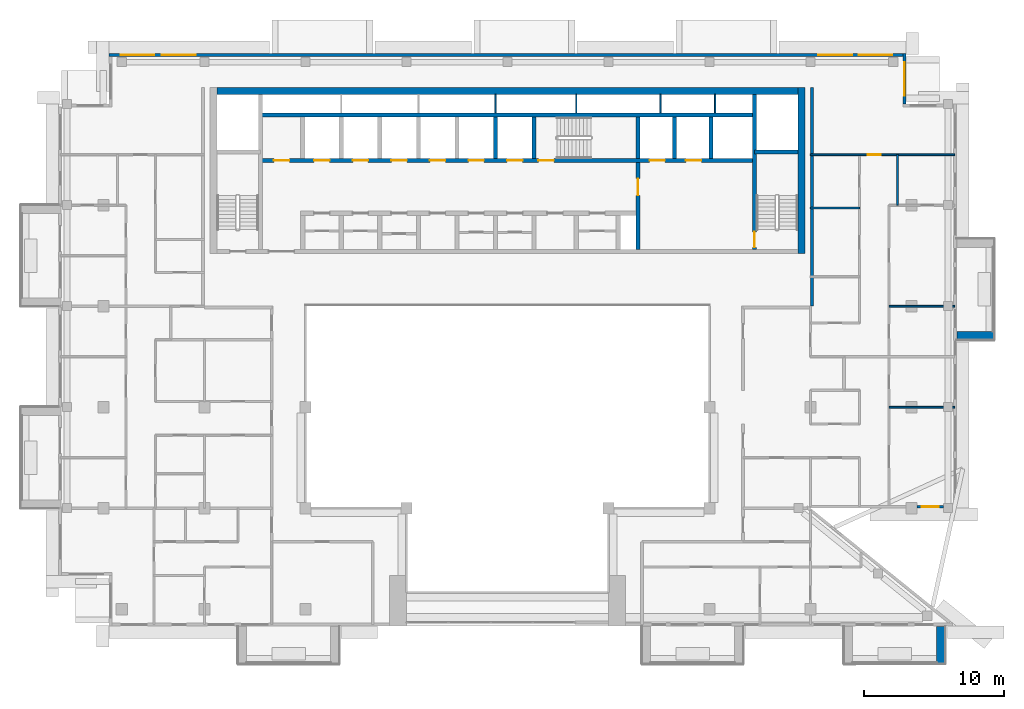
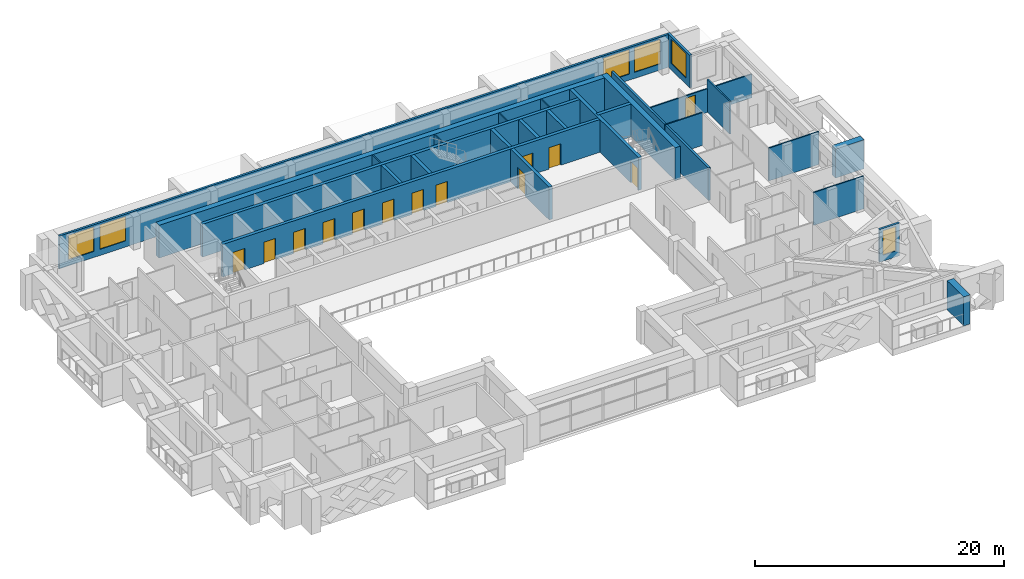
# One storey, part 11 of 19: 27 walls, 13 doors, 6 windows, 19 openings.
"""IFC4 building model written with IfcOpenShell, lengths in metres."""

from ifc_helpers import new_model, si_unit, direction, frame, frame_2d, origin, place, context, subcontext, project, spatial, rectangle, extrude, material, layer, layer_set, type_object, element, fill, save


model = new_model("IFC4")

# Units and contexts
model_context = context("Model", 3, precision=1e-05, world=origin(), true_north=direction((0.0, 1.0)))
body_context = subcontext(model_context, "Body", "Model", "MODEL_VIEW")
ifc_project = project(units=[si_unit("LENGTHUNIT", "METRE"), si_unit("AREAUNIT", "SQUARE_METRE"), si_unit("VOLUMEUNIT", "CUBIC_METRE"), si_unit("PLANEANGLEUNIT", "RADIAN"), si_unit("MASSUNIT", "GRAM", prefix="KILO")], contexts=[model_context])

# Site, building, storey
site_placement = place(None, origin())
site = spatial("IfcSite", under=ifc_project, at=site_placement, CompositionType="ELEMENT")
building_placement = place(site_placement, origin())
building = spatial("IfcBuilding", under=site, at=building_placement, Name="Saffron Iwan Residences", CompositionType="ELEMENT")
storey_placement = place(building_placement, frame((0.0, 0.0, 246.5)))
storey = spatial("IfcBuildingStorey", under=building, at=storey_placement, Name="L66", CompositionType="ELEMENT", Elevation=246.5)

# Walls
ifc_material_1 = material(Name="Concrete C50/60 white painted", Category="concrete")
ifc_layer_1 = layer(ifc_material_1, 0.60009765625)
ifc_layer_set_1 = layer_set([ifc_layer_1], Name="Concrete C50/60 white painted")
wall_type_1 = type_object("IfcWallType", Name="BALCONY FIN 600", PredefinedType="SOLIDWALL", material=ifc_layer_set_1)
for number, where, z_axis, x_axis, name in (
    (1, (82.449951171875, 60.300048828125, 0.0), (0.0, 0.0, 1.0), (1.0, 0.0, 0.0), "Balcony fin L66 F2-0a"),
    (2, (81.300048828125, 39.550048828125, 0.0), (0.0, 0.0, 1.0), (0.0, -1.0, 0.0), "Balcony fin L66 11-2b"),
):
    element("IfcWall", number, at=place(storey_placement, frame(where, z_axis=z_axis, x_axis=x_axis)), inside=storey, type_object=wall_type_1, Name=name, PredefinedType="SOLIDWALL", context=body_context, shape_type="SweptSolid", body=[
        extrude(rectangle(XDim=2.650146484375, YDim=0.60009765625, at=frame_2d((1.3251953125, 0.0))), origin(), (0.0, 0.0, 1.0), 2.85009765625),
    ])

# Wall, opening, window
ifc_material_2 = material(Name="Concrete C40/50", Category="concrete")
ifc_layer_2 = layer(ifc_material_2, 0.199951171875)
ifc_layer_set_2 = layer_set([ifc_layer_2], Name="Concrete C40/50")
wall_type_2 = type_object("IfcWallType", Name="EXTERNAL WALL 200", PredefinedType="SOLIDWALL", material=ifc_layer_set_2)
wall_1_placement = place(storey_placement, frame((79.60009765625, 48.10009765625, 0.0), z_axis=(0.0, 0.0, 1.0), x_axis=(1.0, 0.0, 0.0)))
wall_1 = element("IfcWall", 3, at=wall_1_placement, inside=storey, type_object=wall_type_2, Name="External wall L66 F1.1", PredefinedType="SOLIDWALL", context=body_context, shape_type="SweptSolid", body=[
    extrude(rectangle(XDim=1.875, YDim=0.199951171875, at=frame_2d((0.9375, 0.0))), origin(), (0.0, 0.0, 1.0), 3.219970703125),
])
opening_1_placement = place(wall_1_placement, frame((0.33740234375, 0.0, 0.60009765625)))
opening_1 = element("IfcOpeningElement", 4, at=opening_1_placement, cuts=wall_1, Name="Opening W3", PredefinedType="OPENING", context=body_context, shape_type="SweptSolid", body=[
    extrude(rectangle(XDim=1.199951171875, YDim=2.39990234375, at=frame_2d((0.60009765625, 1.199951171875))), frame((0.0, 0.10986328125, 0.0), z_axis=(0.0, -1.0, 0.0), x_axis=(1.0, 0.0, 0.0)), (0.0, 0.0, 1.0), 0.219970703125),
])
ifc_material_3 = material(Name="Clear glass, laminated double glazed", Category="glass")
window_type_1 = type_object("IfcWindowType", Name="WINDOW 1200 x 2400", PartitioningType="SINGLE_PANEL", PredefinedType="WINDOW", material=ifc_material_3)
window_1_placement = place(opening_1_placement, origin())
window_1 = element("IfcWindow", 5, at=window_1_placement, inside=storey, type_object=window_type_1, Name="Window L66 F1.0", OverallHeight=2.39990234375, OverallWidth=1.199951171875, PartitioningType="SINGLE_PANEL", PredefinedType="WINDOW", context=body_context, shape_type="SweptSolid", body=[
    extrude(rectangle(XDim=1.199951171875, YDim=2.39990234375, at=frame_2d((0.60009765625, 1.199951171875))), frame((0.0, 0.030029296875, 0.0), z_axis=(0.0, -1.0, 0.0), x_axis=(1.0, 0.0, 0.0)), (0.0, 0.0, 1.0), 0.06005859375),
])
fill(opening_1, window_1)

wall_2_placement = place(storey_placement, frame((78.699951171875, 76.800048828125, 0.0), z_axis=(0.0, 0.0, 1.0), x_axis=(0.0, 1.0, 0.0)))
wall_2 = element("IfcWall", 6, at=wall_2_placement, inside=storey, type_object=wall_type_2, Name="External wall L66 F4.0", PredefinedType="SOLIDWALL", context=body_context, shape_type="SweptSolid", body=[
    extrude(rectangle(XDim=3.599853515625, YDim=0.199951171875, at=frame_2d((1.7998046875, 0.0))), origin(), (0.0, 0.0, 1.0), 3.219970703125),
])
opening_2_placement = place(wall_2_placement, frame((0.60009765625, 0.0, 0.60009765625)))
opening_2 = element("IfcOpeningElement", 7, at=opening_2_placement, cuts=wall_2, Name="Opening W1", PredefinedType="OPENING", context=body_context, shape_type="SweptSolid", body=[
    extrude(rectangle(XDim=2.39990234375, YDim=2.39990234375, at=frame_2d((1.199951171875, 1.199951171875))), frame((0.0, 0.10986328125, 0.0), z_axis=(0.0, -1.0, 0.0), x_axis=(1.0, 0.0, 0.0)), (0.0, 0.0, 1.0), 0.219970703125),
])
window_type_2 = type_object("IfcWindowType", Name="WINDOW 2400 x 2400", PartitioningType="DOUBLE_PANEL_VERTICAL", PredefinedType="WINDOW", material=ifc_material_3)
window_2_placement = place(opening_2_placement, origin())
window_2 = element("IfcWindow", 8, at=window_2_placement, inside=storey, type_object=window_type_2, Name="Window L66 F4.0", OverallHeight=2.39990234375, OverallWidth=2.39990234375, PartitioningType="DOUBLE_PANEL_VERTICAL", PredefinedType="WINDOW", context=body_context, shape_type="SweptSolid", body=[
    extrude(rectangle(XDim=2.39990234375, YDim=2.39990234375, at=frame_2d((1.199951171875, 1.199951171875))), frame((0.0, 0.030029296875, 0.0), z_axis=(0.0, -1.0, 0.0), x_axis=(1.0, 0.0, 0.0)), (0.0, 0.0, 1.0), 0.06005859375),
])
fill(opening_2, window_2)

# Wall, openings, windows
wall_3_placement = place(storey_placement, frame((78.60009765625, 80.300048828125, 0.0), z_axis=(0.0, 0.0, 1.0), x_axis=(-1.0, 0.0, 0.0)))
wall_3 = element("IfcWall", 9, at=wall_3_placement, inside=storey, type_object=wall_type_2, Name="External wall L66 F5.0", PredefinedType="SOLIDWALL", context=body_context, shape_type="SweptSolid", body=[
    extrude(rectangle(XDim=56.60009765625, YDim=0.199951171875, at=frame_2d((28.300048828125, 0.0))), origin(), (0.0, 0.0, 1.0), 3.219970703125),
])
opening_3_placement = place(wall_3_placement, frame((50.433349609375, 0.0, 0.60009765625)))
opening_3 = element("IfcOpeningElement", 10, at=opening_3_placement, cuts=wall_3, Name="Opening W1", PredefinedType="OPENING", context=body_context, shape_type="SweptSolid", body=[
    extrude(rectangle(XDim=2.39990234375, YDim=2.39990234375, at=frame_2d((1.199951171875, 1.199951171875))), frame((0.0, 0.10986328125, 0.0), z_axis=(0.0, -1.0, 0.0), x_axis=(1.0, 0.0, 0.0)), (0.0, 0.0, 1.0), 0.219970703125),
])
opening_4_placement = place(wall_3_placement, frame((53.36669921875, 0.0, 0.60009765625)))
opening_4 = element("IfcOpeningElement", 11, at=opening_4_placement, cuts=wall_3, Name="Opening W1", PredefinedType="OPENING", context=body_context, shape_type="SweptSolid", body=[
    extrude(rectangle(XDim=2.39990234375, YDim=2.39990234375, at=frame_2d((1.199951171875, 1.199951171875))), frame((0.0, 0.10986328125, 0.0), z_axis=(0.0, -1.0, 0.0), x_axis=(1.0, 0.0, 0.0)), (0.0, 0.0, 1.0), 0.219970703125),
])
opening_5_placement = place(wall_3_placement, frame((0.7666015625, 0.0, 0.60009765625)))
opening_5 = element("IfcOpeningElement", 12, at=opening_5_placement, cuts=wall_3, Name="Opening W1", PredefinedType="OPENING", context=body_context, shape_type="SweptSolid", body=[
    extrude(rectangle(XDim=2.39990234375, YDim=2.39990234375, at=frame_2d((1.199951171875, 1.199951171875))), frame((0.0, 0.10986328125, 0.0), z_axis=(0.0, -1.0, 0.0), x_axis=(1.0, 0.0, 0.0)), (0.0, 0.0, 1.0), 0.219970703125),
])
opening_6_placement = place(wall_3_placement, frame((3.63330078125, 0.0, 0.60009765625)))
opening_6 = element("IfcOpeningElement", 13, at=opening_6_placement, cuts=wall_3, Name="Opening W1", PredefinedType="OPENING", context=body_context, shape_type="SweptSolid", body=[
    extrude(rectangle(XDim=2.39990234375, YDim=2.39990234375, at=frame_2d((1.199951171875, 1.199951171875))), frame((0.0, 0.10986328125, 0.0), z_axis=(0.0, -1.0, 0.0), x_axis=(1.0, 0.0, 0.0)), (0.0, 0.0, 1.0), 0.219970703125),
])
window_3_placement = place(opening_3_placement, origin())
window_3 = element("IfcWindow", 14, at=window_3_placement, inside=storey, type_object=window_type_2, Name="Window L66 F5.0", OverallHeight=2.39990234375, OverallWidth=2.39990234375, PartitioningType="DOUBLE_PANEL_VERTICAL", PredefinedType="WINDOW", context=body_context, shape_type="SweptSolid", body=[
    extrude(rectangle(XDim=2.39990234375, YDim=2.39990234375, at=frame_2d((1.199951171875, 1.199951171875))), frame((0.0, 0.030029296875, 0.0), z_axis=(0.0, -1.0, 0.0), x_axis=(1.0, 0.0, 0.0)), (0.0, 0.0, 1.0), 0.06005859375),
])
fill(opening_3, window_3)
window_4_placement = place(opening_4_placement, origin())
window_4 = element("IfcWindow", 15, at=window_4_placement, inside=storey, type_object=window_type_2, Name="Window L66 F5.1", OverallHeight=2.39990234375, OverallWidth=2.39990234375, PartitioningType="DOUBLE_PANEL_VERTICAL", PredefinedType="WINDOW", context=body_context, shape_type="SweptSolid", body=[
    extrude(rectangle(XDim=2.39990234375, YDim=2.39990234375, at=frame_2d((1.199951171875, 1.199951171875))), frame((0.0, 0.030029296875, 0.0), z_axis=(0.0, -1.0, 0.0), x_axis=(1.0, 0.0, 0.0)), (0.0, 0.0, 1.0), 0.06005859375),
])
fill(opening_4, window_4)
window_5_placement = place(opening_5_placement, origin())
window_5 = element("IfcWindow", 16, at=window_5_placement, inside=storey, type_object=window_type_2, Name="Window L66 F5.2", OverallHeight=2.39990234375, OverallWidth=2.39990234375, PartitioningType="DOUBLE_PANEL_VERTICAL", PredefinedType="WINDOW", context=body_context, shape_type="SweptSolid", body=[
    extrude(rectangle(XDim=2.39990234375, YDim=2.39990234375, at=frame_2d((1.199951171875, 1.199951171875))), frame((0.0, 0.030029296875, 0.0), z_axis=(0.0, -1.0, 0.0), x_axis=(1.0, 0.0, 0.0)), (0.0, 0.0, 1.0), 0.06005859375),
])
fill(opening_5, window_5)
window_6_placement = place(opening_6_placement, origin())
window_6 = element("IfcWindow", 17, at=window_6_placement, inside=storey, type_object=window_type_2, Name="Window L66 F5.3", OverallHeight=2.39990234375, OverallWidth=2.39990234375, PartitioningType="DOUBLE_PANEL_VERTICAL", PredefinedType="WINDOW", context=body_context, shape_type="SweptSolid", body=[
    extrude(rectangle(XDim=2.39990234375, YDim=2.39990234375, at=frame_2d((1.199951171875, 1.199951171875))), frame((0.0, 0.030029296875, 0.0), z_axis=(0.0, -1.0, 0.0), x_axis=(1.0, 0.0, 0.0)), (0.0, 0.0, 1.0), 0.06005859375),
])
fill(opening_6, window_6)

# Walls
ifc_material_4 = material(Name="Gypsum board partition")
ifc_layer_3 = layer(ifc_material_4, 0.1201171875)
ifc_layer_set_3 = layer_set([ifc_layer_3], Name="Gypsum board partition")
wall_type_3 = type_object("IfcWallType", Name="Flat partition 120", PredefinedType="PARTITIONING", material=ifc_layer_set_3)
for number, where, z_axis, x_axis, name in (
    (18, (77.60009765625, 55.199951171875, 0.0), (0.0, 0.0, 1.0), (1.0, 0.0, 0.0), "W-L66-PART-h55.2-77.6"),
    (19, (77.60009765625, 62.39990234375, 0.0), (0.0, 0.0, 1.0), (1.0, 0.0, 0.0), "W-L66-PART-h62.4-77.6"),
):
    element("IfcWall", number, at=place(storey_placement, frame(where, z_axis=z_axis, x_axis=x_axis)), inside=storey, type_object=wall_type_3, Name=name, PredefinedType="PARTITIONING", context=body_context, shape_type="SweptSolid", body=[
        extrude(rectangle(XDim=4.6748046875, YDim=0.1201171875, at=frame_2d((2.33740234375, 0.0))), origin(), (0.0, 0.0, 1.0), 3.219970703125),
    ])
wall_4_placement = place(storey_placement, frame((72.0, 69.39990234375, 0.0), z_axis=(0.0, 0.0, 1.0), x_axis=(1.0, 0.0, 0.0)))
element("IfcWall", 20, at=wall_4_placement, inside=storey, type_object=wall_type_3, Name="W-L66-PART-h69.4-72", PredefinedType="PARTITIONING", context=body_context, shape_type="SweptSolid", body=[
    extrude(rectangle(XDim=3.5, YDim=0.1201171875, at=frame_2d((1.75, 0.0))), origin(), (0.0, 0.0, 1.0), 3.219970703125),
])

# Wall, opening, door
wall_5_placement = place(storey_placement, frame((72.0, 73.199951171875, 0.0), z_axis=(0.0, 0.0, 1.0), x_axis=(1.0, 0.0, 0.0)))
wall_5 = element("IfcWall", 21, at=wall_5_placement, inside=storey, type_object=wall_type_3, Name="W-L66-PART-h73.2-72", PredefinedType="PARTITIONING", context=body_context, shape_type="SweptSolid", body=[
    extrude(rectangle(XDim=10.27490234375, YDim=0.1201171875, at=frame_2d((5.137451171875, 0.0))), origin(), (0.0, 0.0, 1.0), 2.320068359375),
])
opening_7_placement = place(wall_5_placement, frame((4.10009765625, 0.0, 0.0)))
opening_7 = element("IfcOpeningElement", 22, at=opening_7_placement, cuts=wall_5, Name="Opening FD2", PredefinedType="OPENING", context=body_context, shape_type="SweptSolid", body=[
    extrude(rectangle(XDim=0.89990234375, YDim=2.10009765625, at=frame_2d((0.449951171875, 1.050048828125))), frame((0.0, 0.070068359375, 0.0), z_axis=(0.0, -1.0, 0.0), x_axis=(1.0, 0.0, 0.0)), (0.0, 0.0, 1.0), 0.14013671875),
])
ifc_material_5 = material(Name="Timber door", Category="wood")
door_type_1 = type_object("IfcDoorType", Name="Flat door 900", OperationType="NOTDEFINED", PredefinedType="DOOR", material=ifc_material_5)
door_1_placement = place(opening_7_placement, origin())
door_1 = element("IfcDoor", 23, at=door_1_placement, inside=storey, type_object=door_type_1, Name="Door L66-036", OperationType="SINGLE_SWING_LEFT", OverallHeight=2.10009765625, OverallWidth=0.89990234375, PredefinedType="DOOR", context=body_context, shape_type="SweptSolid", body=[
    extrude(rectangle(XDim=0.89990234375, YDim=2.10009765625, at=frame_2d((0.449951171875, 1.050048828125))), frame((0.0, 0.02490234375, 0.0), z_axis=(0.0, -1.0, 0.0), x_axis=(1.0, 0.0, 0.0)), (0.0, 0.0, 1.0), 0.050048828125),
])
fill(opening_7, door_1)

# Walls
wall_6_placement = place(storey_placement, frame((78.199951171875, 69.60009765625, 0.0), z_axis=(0.0, 0.0, 1.0), x_axis=(0.0, 1.0, 0.0)))
element("IfcWall", 24, at=wall_6_placement, inside=storey, type_object=wall_type_3, Name="W-L66-PART-v78.2-69.6", PredefinedType="PARTITIONING", context=body_context, shape_type="SweptSolid", body=[
    extrude(rectangle(XDim=3.599853515625, YDim=0.1201171875, at=frame_2d((1.7998046875, 0.0))), origin(), (0.0, 0.0, 1.0), 3.219970703125),
])
ifc_material_6 = material(Name="Fire-rated gypsum board wall")
ifc_layer_4 = layer(ifc_material_6, 0.199951171875)
ifc_layer_set_4 = layer_set([ifc_layer_4], Name="Fire-rated gypsum board wall")
wall_type_4 = type_object("IfcWallType", Name="Gallery wall 200", PredefinedType="SOLIDWALL", material=ifc_layer_set_4)
wall_7_placement = place(storey_placement, frame((72.10009765625, 62.39990234375, 0.0), z_axis=(0.0, 0.0, 1.0), x_axis=(0.0, 1.0, 0.0)))
element("IfcWall", 25, at=wall_7_placement, inside=storey, type_object=wall_type_4, Name="W-L66-CORR-v72-62.4", PredefinedType="SOLIDWALL", context=body_context, shape_type="SweptSolid", body=[
    extrude(rectangle(XDim=15.60009765625, YDim=0.199951171875, at=frame_2d((7.800048828125, 0.0))), origin(), (0.0, 0.0, 1.0), 3.219970703125),
])
ifc_material_7 = material(Name="Fire-rated plasterboard partition")
ifc_layer_5 = layer(ifc_material_7, 0.10009765625)
ifc_layer_set_5 = layer_set([ifc_layer_5], Name="Fire-rated plasterboard partition")
wall_type_5 = type_object("IfcWallType", Name="Riser partition 100", PredefinedType="PARTITIONING", material=ifc_layer_set_5)
for number, where, z_axis, x_axis, name in (
    (26, (49.550048828125, 76.175048828125, 0.0), (0.0, 0.0, 1.0), (0.0, 1.0, 0.0), "Core partition P09"),
    (27, (55.300048828125, 76.175048828125, 0.0), (0.0, 0.0, 1.0), (0.0, 1.0, 0.0), "Core partition P10"),
    (28, (61.300048828125, 76.175048828125, 0.0), (0.0, 0.0, 1.0), (0.0, 1.0, 0.0), "Core partition P11"),
    (29, (65.199951171875, 76.175048828125, 0.0), (0.0, 0.0, 1.0), (0.0, 1.0, 0.0), "Core partition P12"),
):
    element("IfcWall", number, at=place(storey_placement, frame(where, z_axis=z_axis, x_axis=x_axis)), inside=storey, type_object=wall_type_5, Name=name, PredefinedType="PARTITIONING", context=body_context, shape_type="SweptSolid", body=[
        extrude(rectangle(XDim=1.324951171875, YDim=0.10009765625, at=frame_2d((0.66259765625, 0.0))), origin(), (0.0, 0.0, 1.0), 3.219970703125),
    ])

# Wall, openings, doors
ifc_layer_6 = layer(ifc_material_2, 0.300048828125)
ifc_layer_set_6 = layer_set([ifc_layer_6], Name="Concrete C40/50")
wall_type_6 = type_object("IfcWallType", Name="WALL CORE 300 C40/50 3220 HIGH", PredefinedType="SHEAR", material=ifc_layer_set_6)
wall_8_placement = place(storey_placement, frame((32.800048828125, 72.77490234375, 0.0), z_axis=(0.0, 0.0, 1.0), x_axis=(1.0, 0.0, 0.0)))
wall_8 = element("IfcWall", 30, at=wall_8_placement, inside=storey, type_object=wall_type_6, Name="Core wall", PredefinedType="SHEAR", context=body_context, shape_type="SweptSolid", body=[
    extrude(rectangle(XDim=35.199951171875, YDim=0.300048828125, at=frame_2d((17.60009765625, 0.0))), origin(), (0.0, 0.0, 1.0), 3.219970703125),
])
opening_8_placement = place(wall_8_placement, frame((19.800048828125, 0.0, 0.0)))
opening_8 = element("IfcOpeningElement", 31, at=opening_8_placement, cuts=wall_8, Name="Opening SD", PredefinedType="OPENING", context=body_context, shape_type="SweptSolid", body=[
    extrude(rectangle(XDim=1.10009765625, YDim=2.10009765625, at=frame_2d((0.550048828125, 1.050048828125))), frame((0.0, 0.16015625, 0.0), z_axis=(0.0, -1.0, 0.0), x_axis=(1.0, 0.0, 0.0)), (0.0, 0.0, 1.0), 0.320068359375),
])
opening_9_placement = place(wall_8_placement, frame((27.72509765625, 0.0, 0.0)))
opening_9 = element("IfcOpeningElement", 32, at=opening_9_placement, cuts=wall_8, Name="Opening LD", PredefinedType="OPENING", context=body_context, shape_type="SweptSolid", body=[
    extrude(rectangle(XDim=1.10009765625, YDim=2.10009765625, at=frame_2d((0.550048828125, 1.050048828125))), frame((0.0, 0.16015625, 0.0), z_axis=(0.0, -1.0, 0.0), x_axis=(1.0, 0.0, 0.0)), (0.0, 0.0, 1.0), 0.320068359375),
])
opening_10_placement = place(wall_8_placement, frame((30.324951171875, 0.0, 0.0)))
opening_10 = element("IfcOpeningElement", 33, at=opening_10_placement, cuts=wall_8, Name="Opening LD", PredefinedType="OPENING", context=body_context, shape_type="SweptSolid", body=[
    extrude(rectangle(XDim=1.10009765625, YDim=2.10009765625, at=frame_2d((0.550048828125, 1.050048828125))), frame((0.0, 0.16015625, 0.0), z_axis=(0.0, -1.0, 0.0), x_axis=(1.0, 0.0, 0.0)), (0.0, 0.0, 1.0), 0.320068359375),
])
opening_11_placement = place(wall_8_placement, frame((3.824951171875, 0.0, 0.0)))
opening_11 = element("IfcOpeningElement", 34, at=opening_11_placement, cuts=wall_8, Name="Opening LD", PredefinedType="OPENING", context=body_context, shape_type="SweptSolid", body=[
    extrude(rectangle(XDim=1.10009765625, YDim=2.10009765625, at=frame_2d((0.550048828125, 1.050048828125))), frame((0.0, 0.16015625, 0.0), z_axis=(0.0, -1.0, 0.0), x_axis=(1.0, 0.0, 0.0)), (0.0, 0.0, 1.0), 0.320068359375),
])
opening_12_placement = place(wall_8_placement, frame((6.574951171875, 0.0, 0.0)))
opening_12 = element("IfcOpeningElement", 35, at=opening_12_placement, cuts=wall_8, Name="Opening LD", PredefinedType="OPENING", context=body_context, shape_type="SweptSolid", body=[
    extrude(rectangle(XDim=1.10009765625, YDim=2.10009765625, at=frame_2d((0.550048828125, 1.050048828125))), frame((0.0, 0.16015625, 0.0), z_axis=(0.0, -1.0, 0.0), x_axis=(1.0, 0.0, 0.0)), (0.0, 0.0, 1.0), 0.320068359375),
])
opening_13_placement = place(wall_8_placement, frame((9.324951171875, 0.0, 0.0)))
opening_13 = element("IfcOpeningElement", 36, at=opening_13_placement, cuts=wall_8, Name="Opening LD", PredefinedType="OPENING", context=body_context, shape_type="SweptSolid", body=[
    extrude(rectangle(XDim=1.10009765625, YDim=2.10009765625, at=frame_2d((0.550048828125, 1.050048828125))), frame((0.0, 0.16015625, 0.0), z_axis=(0.0, -1.0, 0.0), x_axis=(1.0, 0.0, 0.0)), (0.0, 0.0, 1.0), 0.320068359375),
])
opening_14_placement = place(wall_8_placement, frame((12.074951171875, 0.0, 0.0)))
opening_14 = element("IfcOpeningElement", 37, at=opening_14_placement, cuts=wall_8, Name="Opening LD", PredefinedType="OPENING", context=body_context, shape_type="SweptSolid", body=[
    extrude(rectangle(XDim=1.10009765625, YDim=2.10009765625, at=frame_2d((0.550048828125, 1.050048828125))), frame((0.0, 0.16015625, 0.0), z_axis=(0.0, -1.0, 0.0), x_axis=(1.0, 0.0, 0.0)), (0.0, 0.0, 1.0), 0.320068359375),
])
opening_15_placement = place(wall_8_placement, frame((14.824951171875, 0.0, 0.0)))
opening_15 = element("IfcOpeningElement", 38, at=opening_15_placement, cuts=wall_8, Name="Opening LD", PredefinedType="OPENING", context=body_context, shape_type="SweptSolid", body=[
    extrude(rectangle(XDim=1.10009765625, YDim=2.10009765625, at=frame_2d((0.550048828125, 1.050048828125))), frame((0.0, 0.16015625, 0.0), z_axis=(0.0, -1.0, 0.0), x_axis=(1.0, 0.0, 0.0)), (0.0, 0.0, 1.0), 0.320068359375),
])
opening_16_placement = place(wall_8_placement, frame((17.574951171875, 0.0, 0.0)))
opening_16 = element("IfcOpeningElement", 39, at=opening_16_placement, cuts=wall_8, Name="Opening LD", PredefinedType="OPENING", context=body_context, shape_type="SweptSolid", body=[
    extrude(rectangle(XDim=1.10009765625, YDim=2.10009765625, at=frame_2d((0.550048828125, 1.050048828125))), frame((0.0, 0.16015625, 0.0), z_axis=(0.0, -1.0, 0.0), x_axis=(1.0, 0.0, 0.0)), (0.0, 0.0, 1.0), 0.320068359375),
])
opening_17_placement = place(wall_8_placement, frame((0.949951171875, 0.0, 0.0)))
opening_17 = element("IfcOpeningElement", 40, at=opening_17_placement, cuts=wall_8, Name="Opening SR", PredefinedType="OPENING", context=body_context, shape_type="SweptSolid", body=[
    extrude(rectangle(XDim=1.10009765625, YDim=2.10009765625, at=frame_2d((0.550048828125, 1.050048828125))), frame((0.0, 0.16015625, 0.0), z_axis=(0.0, -1.0, 0.0), x_axis=(1.0, 0.0, 0.0)), (0.0, 0.0, 1.0), 0.320068359375),
])
ifc_material_8 = material(Name="Steel fire door", Category="steel")
door_type_2 = type_object("IfcDoorType", Name="Lift landing door 1100", OperationType="SLIDING_TO_LEFT", PredefinedType="DOOR", material=ifc_material_8)
door_2_placement = place(opening_9_placement, origin())
door_2 = element("IfcDoor", 41, at=door_2_placement, inside=storey, type_object=door_type_2, Name="Landing doors FF1", OperationType="SLIDING_TO_LEFT", OverallHeight=2.10009765625, OverallWidth=1.10009765625, PredefinedType="DOOR", context=body_context, shape_type="SweptSolid", body=[
    extrude(rectangle(XDim=1.10009765625, YDim=2.10009765625, at=frame_2d((0.550048828125, 1.050048828125))), frame((0.0, 0.02490234375, 0.0), z_axis=(0.0, -1.0, 0.0), x_axis=(1.0, 0.0, 0.0)), (0.0, 0.0, 1.0), 0.050048828125),
])
fill(opening_9, door_2)
door_3_placement = place(opening_10_placement, origin())
door_3 = element("IfcDoor", 42, at=door_3_placement, inside=storey, type_object=door_type_2, Name="Landing doors FF2", OperationType="SLIDING_TO_LEFT", OverallHeight=2.10009765625, OverallWidth=1.10009765625, PredefinedType="DOOR", context=body_context, shape_type="SweptSolid", body=[
    extrude(rectangle(XDim=1.10009765625, YDim=2.10009765625, at=frame_2d((0.550048828125, 1.050048828125))), frame((0.0, 0.02490234375, 0.0), z_axis=(0.0, -1.0, 0.0), x_axis=(1.0, 0.0, 0.0)), (0.0, 0.0, 1.0), 0.050048828125),
])
fill(opening_10, door_3)
door_4_placement = place(opening_11_placement, origin())
door_4 = element("IfcDoor", 43, at=door_4_placement, inside=storey, type_object=door_type_2, Name="Landing doors HR1", OperationType="SLIDING_TO_LEFT", OverallHeight=2.10009765625, OverallWidth=1.10009765625, PredefinedType="DOOR", context=body_context, shape_type="SweptSolid", body=[
    extrude(rectangle(XDim=1.10009765625, YDim=2.10009765625, at=frame_2d((0.550048828125, 1.050048828125))), frame((0.0, 0.02490234375, 0.0), z_axis=(0.0, -1.0, 0.0), x_axis=(1.0, 0.0, 0.0)), (0.0, 0.0, 1.0), 0.050048828125),
])
fill(opening_11, door_4)
door_5_placement = place(opening_12_placement, origin())
door_5 = element("IfcDoor", 44, at=door_5_placement, inside=storey, type_object=door_type_2, Name="Landing doors HR2", OperationType="SLIDING_TO_LEFT", OverallHeight=2.10009765625, OverallWidth=1.10009765625, PredefinedType="DOOR", context=body_context, shape_type="SweptSolid", body=[
    extrude(rectangle(XDim=1.10009765625, YDim=2.10009765625, at=frame_2d((0.550048828125, 1.050048828125))), frame((0.0, 0.02490234375, 0.0), z_axis=(0.0, -1.0, 0.0), x_axis=(1.0, 0.0, 0.0)), (0.0, 0.0, 1.0), 0.050048828125),
])
fill(opening_12, door_5)
door_6_placement = place(opening_13_placement, origin())
door_6 = element("IfcDoor", 45, at=door_6_placement, inside=storey, type_object=door_type_2, Name="Landing doors HR3", OperationType="SLIDING_TO_LEFT", OverallHeight=2.10009765625, OverallWidth=1.10009765625, PredefinedType="DOOR", context=body_context, shape_type="SweptSolid", body=[
    extrude(rectangle(XDim=1.10009765625, YDim=2.10009765625, at=frame_2d((0.550048828125, 1.050048828125))), frame((0.0, 0.02490234375, 0.0), z_axis=(0.0, -1.0, 0.0), x_axis=(1.0, 0.0, 0.0)), (0.0, 0.0, 1.0), 0.050048828125),
])
fill(opening_13, door_6)
door_7_placement = place(opening_14_placement, origin())
door_7 = element("IfcDoor", 46, at=door_7_placement, inside=storey, type_object=door_type_2, Name="Landing doors HR4", OperationType="SLIDING_TO_LEFT", OverallHeight=2.10009765625, OverallWidth=1.10009765625, PredefinedType="DOOR", context=body_context, shape_type="SweptSolid", body=[
    extrude(rectangle(XDim=1.10009765625, YDim=2.10009765625, at=frame_2d((0.550048828125, 1.050048828125))), frame((0.0, 0.02490234375, 0.0), z_axis=(0.0, -1.0, 0.0), x_axis=(1.0, 0.0, 0.0)), (0.0, 0.0, 1.0), 0.050048828125),
])
fill(opening_14, door_7)
door_8_placement = place(opening_15_placement, origin())
door_8 = element("IfcDoor", 47, at=door_8_placement, inside=storey, type_object=door_type_2, Name="Landing doors HR5", OperationType="SLIDING_TO_LEFT", OverallHeight=2.10009765625, OverallWidth=1.10009765625, PredefinedType="DOOR", context=body_context, shape_type="SweptSolid", body=[
    extrude(rectangle(XDim=1.10009765625, YDim=2.10009765625, at=frame_2d((0.550048828125, 1.050048828125))), frame((0.0, 0.02490234375, 0.0), z_axis=(0.0, -1.0, 0.0), x_axis=(1.0, 0.0, 0.0)), (0.0, 0.0, 1.0), 0.050048828125),
])
fill(opening_15, door_8)
door_9_placement = place(opening_16_placement, origin())
door_9 = element("IfcDoor", 48, at=door_9_placement, inside=storey, type_object=door_type_2, Name="Landing doors HR6", OperationType="SLIDING_TO_LEFT", OverallHeight=2.10009765625, OverallWidth=1.10009765625, PredefinedType="DOOR", context=body_context, shape_type="SweptSolid", body=[
    extrude(rectangle(XDim=1.10009765625, YDim=2.10009765625, at=frame_2d((0.550048828125, 1.050048828125))), frame((0.0, 0.02490234375, 0.0), z_axis=(0.0, -1.0, 0.0), x_axis=(1.0, 0.0, 0.0)), (0.0, 0.0, 1.0), 0.050048828125),
])
fill(opening_16, door_9)
door_type_3 = type_object("IfcDoorType", Name="Service door 1100", OperationType="NOTDEFINED", PredefinedType="DOOR", material=ifc_material_8)
door_10_placement = place(opening_17_placement, origin())
door_10 = element("IfcDoor", 49, at=door_10_placement, inside=storey, type_object=door_type_3, Name="Door Service room", OperationType="SINGLE_SWING_LEFT", OverallHeight=2.10009765625, OverallWidth=1.10009765625, PredefinedType="DOOR", context=body_context, shape_type="SweptSolid", body=[
    extrude(rectangle(XDim=1.10009765625, YDim=2.10009765625, at=frame_2d((0.550048828125, 1.050048828125))), frame((0.0, 0.02490234375, 0.0), z_axis=(0.0, -1.0, 0.0), x_axis=(1.0, 0.0, 0.0)), (0.0, 0.0, 1.0), 0.050048828125),
])
fill(opening_17, door_10)
door_type_4 = type_object("IfcDoorType", Name="Stair door 1100", OperationType="NOTDEFINED", PredefinedType="DOOR", material=ifc_material_8)
door_11_placement = place(opening_8_placement, origin())
door_11 = element("IfcDoor", 50, at=door_11_placement, inside=storey, type_object=door_type_4, Name="Stair door ST-C", OperationType="SINGLE_SWING_LEFT", OverallHeight=2.10009765625, OverallWidth=1.10009765625, PredefinedType="DOOR", context=body_context, shape_type="SweptSolid", body=[
    extrude(rectangle(XDim=1.10009765625, YDim=2.10009765625, at=frame_2d((0.550048828125, 1.050048828125))), frame((0.0, 0.02490234375, 0.0), z_axis=(0.0, -1.0, 0.0), x_axis=(1.0, 0.0, 0.0)), (0.0, 0.0, 1.0), 0.050048828125),
])
fill(opening_8, door_11)

# Walls
wall_9_placement = place(storey_placement, frame((32.800048828125, 76.02490234375, 0.0), z_axis=(0.0, 0.0, 1.0), x_axis=(1.0, 0.0, 0.0)))
element("IfcWall", 51, at=wall_9_placement, inside=storey, type_object=wall_type_6, Name="Core wall", PredefinedType="SHEAR", context=body_context, shape_type="SweptSolid", body=[
    extrude(rectangle(XDim=35.199951171875, YDim=0.300048828125, at=frame_2d((17.60009765625, 0.0))), origin(), (0.0, 0.0, 1.0), 3.219970703125),
])
wall_10_placement = place(storey_placement, frame((68.0, 73.39990234375, 0.0), z_axis=(0.0, 0.0, 1.0), x_axis=(1.0, 0.0, 0.0)))
element("IfcWall", 52, at=wall_10_placement, inside=storey, type_object=wall_type_6, Name="Core wall", PredefinedType="SHEAR", context=body_context, shape_type="SweptSolid", body=[
    extrude(rectangle(XDim=3.10009765625, YDim=0.300048828125, at=frame_2d((1.550048828125, 0.0))), origin(), (0.0, 0.0, 1.0), 3.219970703125),
])

# Wall, opening, door
wall_11_placement = place(storey_placement, frame((68.0, 66.449951171875, 0.0), z_axis=(0.0, 0.0, 1.0), x_axis=(0.0, 1.0, 0.0)))
wall_11 = element("IfcWall", 53, at=wall_11_placement, inside=storey, type_object=wall_type_6, Name="Core wall", PredefinedType="SHEAR", context=body_context, shape_type="SweptSolid", body=[
    extrude(rectangle(XDim=11.050048828125, YDim=0.300048828125, at=frame_2d((5.52490234375, 0.0))), origin(), (0.0, 0.0, 1.0), 3.219970703125),
])
opening_18_placement = place(wall_11_placement, frame((0.14990234375, 0.0, 0.0)))
opening_18 = element("IfcOpeningElement", 54, at=opening_18_placement, cuts=wall_11, Name="Opening SD", PredefinedType="OPENING", context=body_context, shape_type="SweptSolid", body=[
    extrude(rectangle(XDim=1.10009765625, YDim=2.10009765625, at=frame_2d((0.550048828125, 1.050048828125))), frame((0.0, 0.16015625, 0.0), z_axis=(0.0, -1.0, 0.0), x_axis=(1.0, 0.0, 0.0)), (0.0, 0.0, 1.0), 0.320068359375),
])
door_12_placement = place(opening_18_placement, origin())
door_12 = element("IfcDoor", 55, at=door_12_placement, inside=storey, type_object=door_type_4, Name="Stair door ST-E", OperationType="SINGLE_SWING_RIGHT", OverallHeight=2.10009765625, OverallWidth=1.10009765625, PredefinedType="DOOR", context=body_context, shape_type="SweptSolid", body=[
    extrude(rectangle(XDim=1.10009765625, YDim=2.10009765625, at=frame_2d((0.550048828125, 1.050048828125))), frame((0.0, 0.02490234375, 0.0), z_axis=(0.0, -1.0, 0.0), x_axis=(1.0, 0.0, 0.0)), (0.0, 0.0, 1.0), 0.050048828125),
])
fill(opening_18, door_12)

wall_12_placement = place(storey_placement, frame((59.699951171875, 66.449951171875, 0.0), z_axis=(0.0, 0.0, 1.0), x_axis=(0.0, 1.0, 0.0)))
wall_12 = element("IfcWall", 56, at=wall_12_placement, inside=storey, type_object=wall_type_6, Name="Core wall", PredefinedType="SHEAR", context=body_context, shape_type="SweptSolid", body=[
    extrude(rectangle(XDim=6.175048828125, YDim=0.300048828125, at=frame_2d((3.08740234375, 0.0))), origin(), (0.0, 0.0, 1.0), 3.219970703125),
])
opening_19_placement = place(wall_12_placement, frame((3.85009765625, 0.0, 0.0)))
opening_19 = element("IfcOpeningElement", 57, at=opening_19_placement, cuts=wall_12, Name="Opening FD", PredefinedType="OPENING", context=body_context, shape_type="SweptSolid", body=[
    extrude(rectangle(XDim=1.199951171875, YDim=2.10009765625, at=frame_2d((0.60009765625, 1.050048828125))), frame((0.0, 0.16015625, 0.0), z_axis=(0.0, -1.0, 0.0), x_axis=(1.0, 0.0, 0.0)), (0.0, 0.0, 1.0), 0.320068359375),
])
door_type_5 = type_object("IfcDoorType", Name="Firefighting lobby door 1200", OperationType="NOTDEFINED", PredefinedType="DOOR", material=ifc_material_8)
door_13_placement = place(opening_19_placement, origin())
door_13 = element("IfcDoor", 58, at=door_13_placement, inside=storey, type_object=door_type_5, Name="Firefighting lobby door", OperationType="SINGLE_SWING_LEFT", OverallHeight=2.10009765625, OverallWidth=1.199951171875, PredefinedType="DOOR", context=body_context, shape_type="SweptSolid", body=[
    extrude(rectangle(XDim=1.199951171875, YDim=2.10009765625, at=frame_2d((0.60009765625, 1.050048828125))), frame((0.0, 0.02490234375, 0.0), z_axis=(0.0, -1.0, 0.0), x_axis=(1.0, 0.0, 0.0)), (0.0, 0.0, 1.0), 0.050048828125),
])
fill(opening_19, door_13)

# Walls
for number, where, z_axis, x_axis, name in (
    (59, (59.699951171875, 72.925048828125, 0.0), (0.0, 0.0, 1.0), (0.0, 1.0, 0.0), "Core wall"),
    (60, (49.550048828125, 72.925048828125, 0.0), (0.0, 0.0, 1.0), (0.0, 1.0, 0.0), "Core wall"),
    (61, (52.300048828125, 72.925048828125, 0.0), (0.0, 0.0, 1.0), (0.0, 1.0, 0.0), "Core wall"),
    (62, (62.300048828125, 72.925048828125, 0.0), (0.0, 0.0, 1.0), (0.0, 1.0, 0.0), "Core wall"),
    (63, (64.89990234375, 72.925048828125, 0.0), (0.0, 0.0, 1.0), (0.0, 1.0, 0.0), "Core wall"),
):
    element("IfcWall", number, at=place(storey_placement, frame(where, z_axis=z_axis, x_axis=x_axis)), inside=storey, type_object=wall_type_6, Name=name, PredefinedType="SHEAR", context=body_context, shape_type="SweptSolid", body=[
        extrude(rectangle(XDim=2.949951171875, YDim=0.300048828125, at=frame_2d((1.47509765625, 0.0))), origin(), (0.0, 0.0, 1.0), 3.219970703125),
    ])
ifc_layer_7 = layer(ifc_material_2, 0.5)
ifc_layer_set_7 = layer_set([ifc_layer_7], Name="Concrete C40/50")
wall_type_7 = type_object("IfcWallType", Name="WALL CORE 500 C40/50 3220 HIGH", PredefinedType="SHEAR", material=ifc_layer_set_7)
wall_13_placement = place(storey_placement, frame((71.35009765625, 66.14990234375, 0.0), z_axis=(0.0, 0.0, 1.0), x_axis=(0.0, 1.0, 0.0)))
element("IfcWall", 64, at=wall_13_placement, inside=storey, type_object=wall_type_7, Name="Core wall", PredefinedType="SHEAR", context=body_context, shape_type="SweptSolid", body=[
    extrude(rectangle(XDim=11.85009765625, YDim=0.5, at=frame_2d((5.925048828125, 0.0))), origin(), (0.0, 0.0, 1.0), 3.219970703125),
])
wall_14_placement = place(storey_placement, frame((29.699951171875, 77.75, 0.0), z_axis=(0.0, 0.0, 1.0), x_axis=(1.0, 0.0, 0.0)))
element("IfcWall", 65, at=wall_14_placement, inside=storey, type_object=wall_type_7, Name="Core wall", PredefinedType="SHEAR", context=body_context, shape_type="SweptSolid", body=[
    extrude(rectangle(XDim=41.400146484375, YDim=0.5, at=frame_2d((20.7001953125, 0.0))), origin(), (0.0, 0.0, 1.0), 3.219970703125),
])

save(model, "model.ifc")
